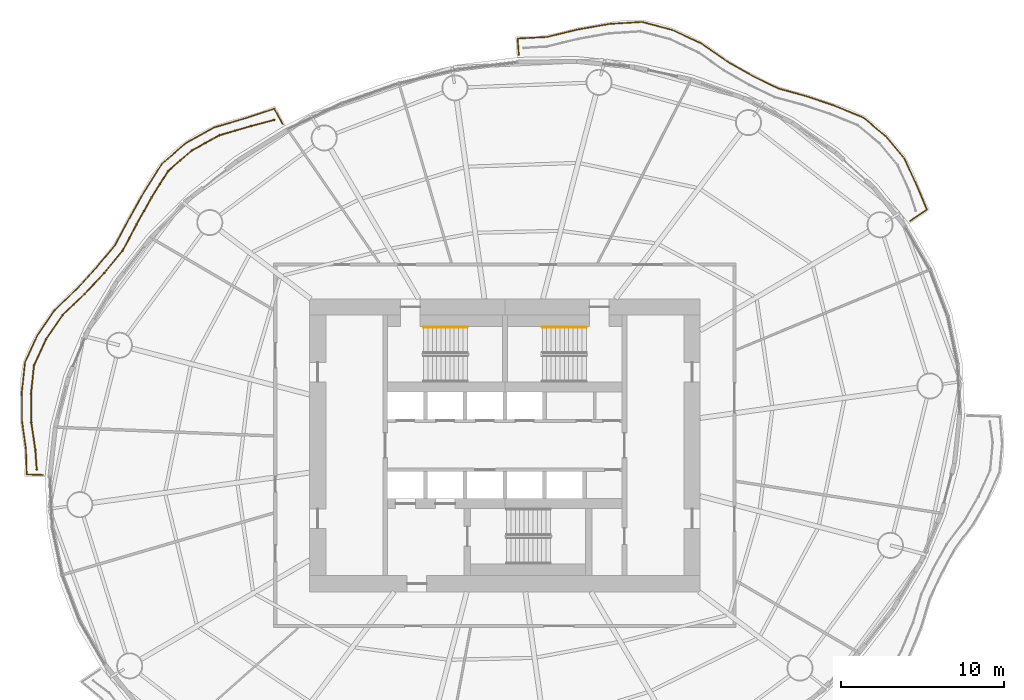
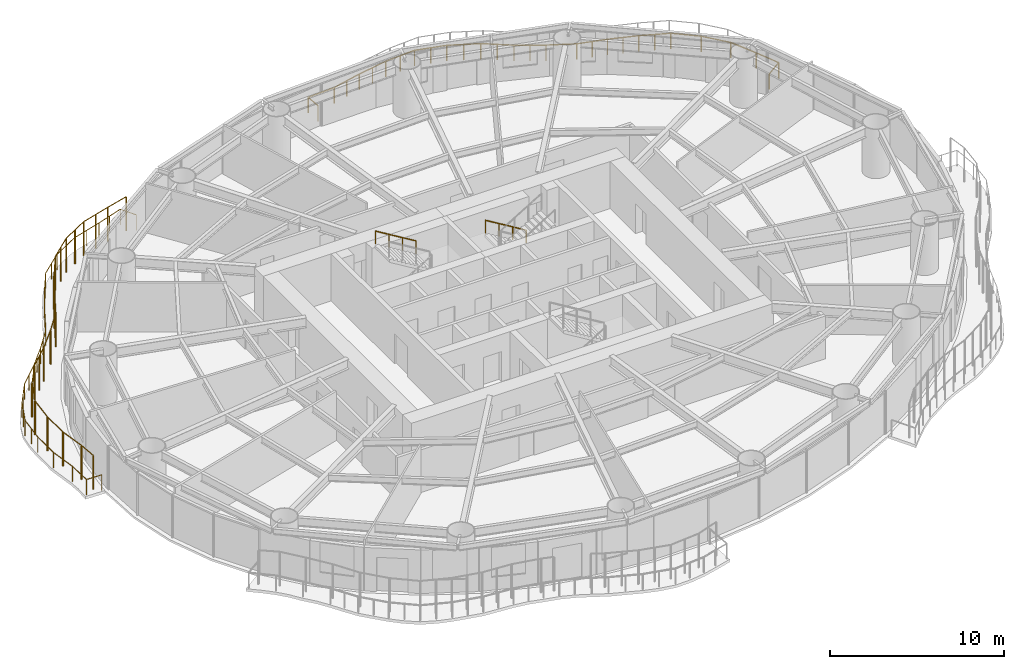
# One storey, part 15 of 16: 5 railings.
"""IFC4 building model written with IfcOpenShell, lengths in metres."""

from ifc_helpers import new_model, si_unit, direction, frame, origin, origin_2d, place, context, subcontext, project, spatial, circle, extrude, material, type_object, element, save


model = new_model("IFC4")

# Units and contexts
model_context = context("Model", 3, precision=1e-05, world=origin(), true_north=direction((0.0, 1.0)))
body_context = subcontext(model_context, "Body", "Model", "MODEL_VIEW")
ifc_project = project(units=[si_unit("LENGTHUNIT", "METRE"), si_unit("AREAUNIT", "SQUARE_METRE"), si_unit("VOLUMEUNIT", "CUBIC_METRE"), si_unit("PLANEANGLEUNIT", "RADIAN"), si_unit("MASSUNIT", "GRAM", prefix="KILO")], contexts=[model_context])

# Site, building, storey
site_placement = place(None, origin())
site = spatial("IfcSite", under=ifc_project, at=site_placement, CompositionType="ELEMENT")
building_placement = place(site_placement, origin())
building = spatial("IfcBuilding", under=site, at=building_placement, Name="Vermilion Reach Broadcast Tower", CompositionType="ELEMENT")
storey_placement = place(building_placement, frame((0.0, 0.0, 99.39990234375)))
storey = spatial("IfcBuildingStorey", under=building, at=storey_placement, Name="L22", CompositionType="ELEMENT", Elevation=99.39990234375)

# Railings
ifc_material_1 = material(Name="Terracotta baguette", Category="masonry")
railing_type_1 = type_object("IfcRailingType", Name="BAGUETTE SCREEN", PredefinedType="USERDEFINED", material=ifc_material_1)
railing_1_placement = place(storey_placement, frame((-20.168701171875, 19.9892578125, 0.0)))
element("IfcRailing", 1, at=railing_1_placement, inside=storey, type_object=railing_type_1, Name="Baguette screen L22 group 2", ObjectType="BAGUETTE SCREEN", PredefinedType="USERDEFINED", context=body_context, shape_type="SweptSolid", body=[
    extrude(circle(Radius=0.030029296875, at=origin_2d()), frame((0.0, 0.0, 2.369873046875), z_axis=(-0.965688538793, -0.259702995832, 0.0), x_axis=(0.259702995832, -0.965688538793, 0.0)), (0.0, 0.0, 1.0), 1.489013671875),
    extrude(circle(Radius=0.030029296875, at=origin_2d()), frame((-1.43798828125, -0.38671875, 2.369873046875), z_axis=(-0.960451273105, -0.278448113642, 0.0), x_axis=(0.278448113642, -0.960451273105, 0.0)), (0.0, 0.0, 1.0), 2.006103515625),
    extrude(circle(Radius=0.030029296875, at=origin_2d()), frame((-3.36474609375, -0.9453125, 2.369873046875), z_axis=(-0.875865554646, -0.482555209468, 0.0), x_axis=(0.482555209468, -0.875865554646, 0.0)), (0.0, 0.0, 1.0), 1.9287109375),
    extrude(circle(Radius=0.030029296875, at=origin_2d()), frame((-5.053955078125, -1.8759765625, 2.369873046875), z_axis=(-0.756757283638, -0.653695964238, 0.0), x_axis=(0.653695964238, -0.756757283638, 0.0)), (0.0, 0.0, 1.0), 1.921142578125),
    extrude(circle(Radius=0.030029296875, at=origin_2d()), frame((-6.5078125, -3.1318359375, 2.369873046875), z_axis=(-0.532360535287, -0.846517726022, 0.0), x_axis=(0.846517726022, -0.532360535287, 0.0)), (0.0, 0.0, 1.0), 1.93115234375),
    extrude(circle(Radius=0.030029296875, at=origin_2d()), frame((-7.535888671875, -4.7666015625, 2.369873046875), z_axis=(-0.485642931179, -0.874157276122, 0.0), x_axis=(0.874157276122, -0.485642931179, 0.0)), (0.0, 0.0, 1.0), 1.90283203125),
    extrude(circle(Radius=0.030029296875, at=origin_2d()), frame((-8.4599609375, -6.429931640625, 2.369873046875), z_axis=(-0.467578934228, -0.88395132234, 0.0), x_axis=(0.88395132234, -0.467578934228, 0.0)), (0.0, 0.0, 1.0), 1.81640625),
    extrude(circle(Radius=0.030029296875, at=origin_2d()), frame((-9.309326171875, -8.03564453125, 2.369873046875), z_axis=(-0.637528294743, -0.770426942287, 0.0), x_axis=(0.770426942287, -0.637528294743, 0.0)), (0.0, 0.0, 1.0), 1.774658203125),
    extrude(circle(Radius=0.030029296875, at=origin_2d()), frame((-10.440673828125, -9.40283203125, 2.369873046875), z_axis=(-0.680059549995, -0.733156878478, 0.0), x_axis=(0.733156878478, -0.680059549995, 0.0)), (0.0, 0.0, 1.0), 1.770263671875),
    extrude(circle(Radius=0.030029296875, at=origin_2d()), frame((-11.64453125, -10.70068359375, 2.369873046875), z_axis=(-0.724137931034, -0.689655172414, 0.0), x_axis=(0.689655172414, -0.724137931034, 0.0)), (0.0, 0.0, 1.0), 1.862060546875),
    extrude(circle(Radius=0.030029296875, at=origin_2d()), frame((-12.992919921875, -11.98486328125, 2.369873046875), z_axis=(-0.567851172557, -0.823131244593, 0.0), x_axis=(0.823131244593, -0.567851172557, 0.0)), (0.0, 0.0, 1.0), 1.78564453125),
    extrude(circle(Radius=0.030029296875, at=origin_2d()), frame((-14.0068359375, -13.45458984375, 2.369873046875), z_axis=(-0.418867322027, -0.908047447294, 0.0), x_axis=(0.908047447294, -0.418867322027, 0.0)), (0.0, 0.0, 1.0), 1.78466796875),
    extrude(circle(Radius=0.030029296875, at=origin_2d()), frame((-14.75439453125, -15.0751953125, 2.369873046875), z_axis=(-0.102804737278, -0.994701556244, 0.0), x_axis=(0.994701556244, -0.102804737278, 0.0)), (0.0, 0.0, 1.0), 1.764404296875),
    extrude(circle(Radius=0.030029296875, at=origin_2d()), frame((-14.935791015625, -16.830322265625, 2.369873046875), z_axis=(0.008058651751, -0.999967528539, 0.0), x_axis=(0.999967528539, 0.008058651751, 0.0)), (0.0, 0.0, 1.0), 1.757080078125),
    extrude(circle(Radius=0.030029296875, at=origin_2d()), frame((-14.921630859375, -18.58740234375, 2.369873046875), z_axis=(0.146255039922, -0.989246917254, 0.0), x_axis=(0.989246917254, 0.146255039922, 0.0)), (0.0, 0.0, 1.0), 1.7177734375),
    extrude(circle(Radius=0.030029296875, at=origin_2d()), frame((-14.67041015625, -20.28662109375, 2.369873046875), z_axis=(0.070485409336, -0.99751281048, 0.0), x_axis=(0.99751281048, 0.070485409336, 0.0)), (0.0, 0.0, 1.0), 1.1845703125),
    extrude(circle(Radius=0.050048828125, at=origin_2d()), origin(), (0.0, 0.0, 1.0), 2.33984375),
    extrude(circle(Radius=0.050048828125, at=origin_2d()), frame((-1.43798828125, -0.38671875, 0.0)), (0.0, 0.0, 1.0), 2.33984375),
    extrude(circle(Radius=0.050048828125, at=origin_2d()), frame((-2.4013671875, -0.666015625, 0.0)), (0.0, 0.0, 1.0), 2.33984375),
    extrude(circle(Radius=0.050048828125, at=origin_2d()), frame((-3.36474609375, -0.9453125, 0.0)), (0.0, 0.0, 1.0), 2.33984375),
    extrude(circle(Radius=0.050048828125, at=origin_2d()), frame((-4.20947265625, -1.41064453125, 0.0)), (0.0, 0.0, 1.0), 2.33984375),
    extrude(circle(Radius=0.050048828125, at=origin_2d()), frame((-5.053955078125, -1.8759765625, 0.0)), (0.0, 0.0, 1.0), 2.33984375),
    extrude(circle(Radius=0.050048828125, at=origin_2d()), frame((-5.78076171875, -2.50390625, 0.0)), (0.0, 0.0, 1.0), 2.33984375),
    extrude(circle(Radius=0.050048828125, at=origin_2d()), frame((-6.5078125, -3.1318359375, 0.0)), (0.0, 0.0, 1.0), 2.33984375),
    extrude(circle(Radius=0.050048828125, at=origin_2d()), frame((-7.02197265625, -3.94921875, 0.0)), (0.0, 0.0, 1.0), 2.33984375),
    extrude(circle(Radius=0.050048828125, at=origin_2d()), frame((-7.535888671875, -4.7666015625, 0.0)), (0.0, 0.0, 1.0), 2.33984375),
    extrude(circle(Radius=0.050048828125, at=origin_2d()), frame((-7.998046875, -5.59814453125, 0.0)), (0.0, 0.0, 1.0), 2.33984375),
    extrude(circle(Radius=0.050048828125, at=origin_2d()), frame((-8.4599609375, -6.429931640625, 0.0)), (0.0, 0.0, 1.0), 2.33984375),
    extrude(circle(Radius=0.050048828125, at=origin_2d()), frame((-8.884765625, -7.23291015625, 0.0)), (0.0, 0.0, 1.0), 2.33984375),
    extrude(circle(Radius=0.050048828125, at=origin_2d()), frame((-9.309326171875, -8.03564453125, 0.0)), (0.0, 0.0, 1.0), 2.33984375),
    extrude(circle(Radius=0.050048828125, at=origin_2d()), frame((-10.440673828125, -9.40283203125, 0.0)), (0.0, 0.0, 1.0), 2.33984375),
    extrude(circle(Radius=0.050048828125, at=origin_2d()), frame((-11.64453125, -10.70068359375, 0.0)), (0.0, 0.0, 1.0), 2.33984375),
    extrude(circle(Radius=0.050048828125, at=origin_2d()), frame((-12.31884765625, -11.3427734375, 0.0)), (0.0, 0.0, 1.0), 2.33984375),
    extrude(circle(Radius=0.050048828125, at=origin_2d()), frame((-12.992919921875, -11.98486328125, 0.0)), (0.0, 0.0, 1.0), 2.33984375),
    extrude(circle(Radius=0.050048828125, at=origin_2d()), frame((-14.0068359375, -13.45458984375, 0.0)), (0.0, 0.0, 1.0), 2.33984375),
    extrude(circle(Radius=0.050048828125, at=origin_2d()), frame((-14.75439453125, -15.0751953125, 0.0)), (0.0, 0.0, 1.0), 2.33984375),
    extrude(circle(Radius=0.050048828125, at=origin_2d()), frame((-14.935791015625, -16.830322265625, 0.0)), (0.0, 0.0, 1.0), 2.33984375),
    extrude(circle(Radius=0.050048828125, at=origin_2d()), frame((-14.921630859375, -18.58740234375, 0.0)), (0.0, 0.0, 1.0), 2.33984375),
    extrude(circle(Radius=0.050048828125, at=origin_2d()), frame((-14.67041015625, -20.28662109375, 0.0)), (0.0, 0.0, 1.0), 2.33984375),
    extrude(circle(Radius=0.050048828125, at=origin_2d()), frame((-14.5869140625, -21.46826171875, 0.0)), (0.0, 0.0, 1.0), 2.33984375),
])
ifc_material_2 = material(Name="Stainless steel 316 balustrade", Category="steel")
railing_type_2 = type_object("IfcRailingType", Name="Balcony guard 1100", PredefinedType="BALUSTRADE", material=ifc_material_2)
railing_2_placement = place(storey_placement, frame((18.88134765625, 13.77587890625, 0.0)))
element("IfcRailing", 2, at=railing_2_placement, inside=storey, type_object=railing_type_2, Name="Balcony guard L22 group 1", PredefinedType="BALUSTRADE", context=body_context, shape_type="SweptSolid", body=[
    extrude(circle(Radius=0.02490234375, at=origin_2d()), frame((0.0, 0.0, 1.0751953125), z_axis=(0.825106922859, 0.564976606463, 0.0), x_axis=(-0.564976606463, 0.825106922859, 0.0)), (0.0, 0.0, 1.0), 1.255859375),
    extrude(circle(Radius=0.02490234375, at=origin_2d()), frame((1.0361328125, 0.70947265625, 1.0751953125), z_axis=(-0.388050278572, 0.921638205209, 0.0), x_axis=(-0.921638205209, -0.388050278572, 0.0)), (0.0, 0.0, 1.0), 1.623779296875),
    extrude(circle(Radius=0.02490234375, at=origin_2d()), frame((0.406005859375, 2.2060546875, 1.0751953125), z_axis=(-0.417533502864, 0.908661528836, 0.0), x_axis=(-0.908661528836, -0.417533502864, 0.0)), (0.0, 0.0, 1.0), 1.798095703125),
    extrude(circle(Radius=0.02490234375, at=origin_2d()), frame((-0.3447265625, 3.83984375, 1.0751953125), z_axis=(-0.641215566417, 0.767360800005, 0.0), x_axis=(-0.767360800005, -0.641215566417, 0.0)), (0.0, 0.0, 1.0), 1.792236328125),
    extrude(circle(Radius=0.02490234375, at=origin_2d()), frame((-1.493896484375, 5.215087890625, 1.0751953125), z_axis=(-0.769634766565, 0.63848439769, 0.0), x_axis=(-0.63848439769, -0.769634766565, 0.0)), (0.0, 0.0, 1.0), 1.781494140625),
    extrude(circle(Radius=0.02490234375, at=origin_2d()), frame((-2.864990234375, 6.3525390625, 1.0751953125), z_axis=(-0.923956053589, 0.382498641875, 0.0), x_axis=(-0.382498641875, -0.923956053589, 0.0)), (0.0, 0.0, 1.0), 1.85986328125),
    extrude(circle(Radius=0.02490234375, at=origin_2d()), frame((-4.58349609375, 7.06396484375, 1.0751953125), z_axis=(-0.946540933456, 0.32258372757, 0.0), x_axis=(-0.32258372757, -0.946540933456, 0.0)), (0.0, 0.0, 1.0), 1.818603515625),
    extrude(circle(Radius=0.02490234375, at=origin_2d()), frame((-6.304931640625, 7.650634765625, 1.0751953125), z_axis=(-0.964058614454, 0.265689645821, 0.0), x_axis=(-0.265689645821, -0.964058614454, 0.0)), (0.0, 0.0, 1.0), 1.830322265625),
    extrude(circle(Radius=0.02490234375, at=origin_2d()), frame((-8.069580078125, 8.136962890625, 1.0751953125), z_axis=(-0.900054243848, 0.435777877055, 0.0), x_axis=(-0.435777877055, -0.900054243848, 0.0)), (0.0, 0.0, 1.0), 1.7646484375),
    extrude(circle(Radius=0.02490234375, at=origin_2d()), frame((-9.657958984375, 8.906005859375, 1.0751953125), z_axis=(-0.868561749897, 0.495580958689, 0.0), x_axis=(-0.495580958689, -0.868561749897, 0.0)), (0.0, 0.0, 1.0), 1.838134765625),
    extrude(circle(Radius=0.02490234375, at=origin_2d()), frame((-11.25439453125, 9.81689453125, 1.0751953125), z_axis=(-0.820747572782, 0.571291013209, 0.0), x_axis=(-0.571291013209, -0.820747572782, 0.0)), (0.0, 0.0, 1.0), 1.926025390625),
    extrude(circle(Radius=0.02490234375, at=origin_2d()), frame((-12.835205078125, 10.917236328125, 1.0751953125), z_axis=(-0.906702128324, 0.421771561978, 0.0), x_axis=(-0.421771561978, -0.906702128324, 0.0)), (0.0, 0.0, 1.0), 1.9443359375),
    extrude(circle(Radius=0.02490234375, at=origin_2d()), frame((-14.59814453125, 11.7373046875, 1.0751953125), z_axis=(-0.966807656919, 0.255505292553, 0.0), x_axis=(-0.255505292553, -0.966807656919, 0.0)), (0.0, 0.0, 1.0), 1.923583984375),
    extrude(circle(Radius=0.02490234375, at=origin_2d()), frame((-16.457763671875, 12.228759765625, 1.0751953125), z_axis=(-0.998119986718, -0.061290228531, 0.0), x_axis=(0.061290228531, -0.998119986718, 0.0)), (0.0, 0.0, 1.0), 1.983642578125),
    extrude(circle(Radius=0.02490234375, at=origin_2d()), frame((-18.437744140625, 12.107177734375, 1.0751953125), z_axis=(-0.985002687095, -0.172538999694, 0.0), x_axis=(0.172538999694, -0.985002687095, 0.0)), (0.0, 0.0, 1.0), 1.978271484375),
    extrude(circle(Radius=0.02490234375, at=origin_2d()), frame((-20.38623046875, 11.765869140625, 1.0751953125), z_axis=(-0.972283270164, -0.23380599342, 0.0), x_axis=(0.23380599342, -0.972283270164, 0.0)), (0.0, 0.0, 1.0), 1.98291015625),
    extrude(circle(Radius=0.02490234375, at=origin_2d()), frame((-22.314208984375, 11.30224609375, 1.0751953125), z_axis=(-0.998697867728, -0.051015379987, 0.0), x_axis=(0.051015379987, -0.998697867728, 0.0)), (0.0, 0.0, 1.0), 1.78515625),
    extrude(circle(Radius=0.02490234375, at=origin_2d()), frame((-24.096923828125, 11.211181640625, 1.0751953125), z_axis=(0.068237373303, -0.997669113927, 0.0), x_axis=(0.997669113927, 0.068237373303, 0.0)), (0.0, 0.0, 1.0), 1.009033203125),
    extrude(circle(Radius=0.02490234375, at=origin_2d()), origin(), (0.0, 0.0, 1.0), 1.050048828125),
    extrude(circle(Radius=0.02490234375, at=origin_2d()), frame((1.0361328125, 0.70947265625, 0.0)), (0.0, 0.0, 1.0), 1.050048828125),
    extrude(circle(Radius=0.02490234375, at=origin_2d()), frame((0.406005859375, 2.2060546875, 0.0)), (0.0, 0.0, 1.0), 1.050048828125),
    extrude(circle(Radius=0.02490234375, at=origin_2d()), frame((-0.3447265625, 3.83984375, 0.0)), (0.0, 0.0, 1.0), 1.050048828125),
    extrude(circle(Radius=0.02490234375, at=origin_2d()), frame((-1.493896484375, 5.215087890625, 0.0)), (0.0, 0.0, 1.0), 1.050048828125),
    extrude(circle(Radius=0.02490234375, at=origin_2d()), frame((-2.864990234375, 6.3525390625, 0.0)), (0.0, 0.0, 1.0), 1.050048828125),
    extrude(circle(Radius=0.02490234375, at=origin_2d()), frame((-3.72412109375, 6.708251953125, 0.0)), (0.0, 0.0, 1.0), 1.050048828125),
    extrude(circle(Radius=0.02490234375, at=origin_2d()), frame((-4.58349609375, 7.06396484375, 0.0)), (0.0, 0.0, 1.0), 1.050048828125),
    extrude(circle(Radius=0.02490234375, at=origin_2d()), frame((-5.4443359375, 7.357421875, 0.0)), (0.0, 0.0, 1.0), 1.050048828125),
    extrude(circle(Radius=0.02490234375, at=origin_2d()), frame((-6.304931640625, 7.650634765625, 0.0)), (0.0, 0.0, 1.0), 1.050048828125),
    extrude(circle(Radius=0.02490234375, at=origin_2d()), frame((-7.187255859375, 7.893798828125, 0.0)), (0.0, 0.0, 1.0), 1.050048828125),
    extrude(circle(Radius=0.02490234375, at=origin_2d()), frame((-8.069580078125, 8.136962890625, 0.0)), (0.0, 0.0, 1.0), 1.050048828125),
    extrude(circle(Radius=0.02490234375, at=origin_2d()), frame((-9.657958984375, 8.906005859375, 0.0)), (0.0, 0.0, 1.0), 1.050048828125),
    extrude(circle(Radius=0.02490234375, at=origin_2d()), frame((-10.4560546875, 9.361328125, 0.0)), (0.0, 0.0, 1.0), 1.050048828125),
    extrude(circle(Radius=0.02490234375, at=origin_2d()), frame((-11.25439453125, 9.81689453125, 0.0)), (0.0, 0.0, 1.0), 1.050048828125),
    extrude(circle(Radius=0.02490234375, at=origin_2d()), frame((-12.044921875, 10.3671875, 0.0)), (0.0, 0.0, 1.0), 1.050048828125),
    extrude(circle(Radius=0.02490234375, at=origin_2d()), frame((-12.835205078125, 10.917236328125, 0.0)), (0.0, 0.0, 1.0), 1.050048828125),
    extrude(circle(Radius=0.02490234375, at=origin_2d()), frame((-13.716796875, 11.3271484375, 0.0)), (0.0, 0.0, 1.0), 1.050048828125),
    extrude(circle(Radius=0.02490234375, at=origin_2d()), frame((-14.59814453125, 11.7373046875, 0.0)), (0.0, 0.0, 1.0), 1.050048828125),
    extrude(circle(Radius=0.02490234375, at=origin_2d()), frame((-15.52783203125, 11.98291015625, 0.0)), (0.0, 0.0, 1.0), 1.050048828125),
    extrude(circle(Radius=0.02490234375, at=origin_2d()), frame((-16.457763671875, 12.228759765625, 0.0)), (0.0, 0.0, 1.0), 1.050048828125),
    extrude(circle(Radius=0.02490234375, at=origin_2d()), frame((-17.44775390625, 12.16796875, 0.0)), (0.0, 0.0, 1.0), 1.050048828125),
    extrude(circle(Radius=0.02490234375, at=origin_2d()), frame((-18.437744140625, 12.107177734375, 0.0)), (0.0, 0.0, 1.0), 1.050048828125),
    extrude(circle(Radius=0.02490234375, at=origin_2d()), frame((-19.412109375, 11.9365234375, 0.0)), (0.0, 0.0, 1.0), 1.050048828125),
    extrude(circle(Radius=0.02490234375, at=origin_2d()), frame((-20.38623046875, 11.765869140625, 0.0)), (0.0, 0.0, 1.0), 1.050048828125),
    extrude(circle(Radius=0.02490234375, at=origin_2d()), frame((-21.35009765625, 11.5341796875, 0.0)), (0.0, 0.0, 1.0), 1.050048828125),
    extrude(circle(Radius=0.02490234375, at=origin_2d()), frame((-22.314208984375, 11.30224609375, 0.0)), (0.0, 0.0, 1.0), 1.050048828125),
    extrude(circle(Radius=0.02490234375, at=origin_2d()), frame((-24.096923828125, 11.211181640625, 0.0)), (0.0, 0.0, 1.0), 1.050048828125),
    extrude(circle(Radius=0.02490234375, at=origin_2d()), frame((-24.028076171875, 10.20458984375, 0.0)), (0.0, 0.0, 1.0), 1.050048828125),
])
railing_3_placement = place(storey_placement, frame((-19.652587890625, 19.733154296875, 0.0)))
element("IfcRailing", 3, at=railing_3_placement, inside=storey, type_object=railing_type_2, Name="Balcony guard L22 group 2", PredefinedType="BALUSTRADE", context=body_context, shape_type="SweptSolid", body=[
    extrude(circle(Radius=0.02490234375, at=origin_2d()), frame((0.0, 0.0, 1.0751953125), z_axis=(-0.480464980178, 0.87701391256, 0.0), x_axis=(-0.87701391256, -0.480464980178, 0.0)), (0.0, 0.0, 1.0), 1.070556640625),
    extrude(circle(Radius=0.02490234375, at=origin_2d()), frame((-0.514404296875, 0.93896484375, 1.0751953125), z_axis=(-0.949503313786, -0.313757003283, 0.0), x_axis=(0.313757003283, -0.949503313786, 0.0)), (0.0, 0.0, 1.0), 1.838623046875),
    extrude(circle(Radius=0.02490234375, at=origin_2d()), frame((-2.26025390625, 0.362060546875, 1.0751953125), z_axis=(-0.95910942212, -0.283035539111, 0.0), x_axis=(0.283035539111, -0.95910942212, 0.0)), (0.0, 0.0, 1.0), 2.037353515625),
    extrude(circle(Radius=0.02490234375, at=origin_2d()), frame((-4.21435546875, -0.214599609375, 1.0751953125), z_axis=(-0.874755633331, -0.484564321794, 0.0), x_axis=(0.484564321794, -0.874755633331, 0.0)), (0.0, 0.0, 1.0), 1.9609375),
    extrude(circle(Radius=0.02490234375, at=origin_2d()), frame((-5.9296875, -1.164794921875, 1.0751953125), z_axis=(-0.756907227232, -0.653522340371, 0.0), x_axis=(0.653522340371, -0.756907227232, 0.0)), (0.0, 0.0, 1.0), 1.955322265625),
    extrude(circle(Radius=0.02490234375, at=origin_2d()), frame((-7.40966796875, -2.442626953125, 1.0751953125), z_axis=(-0.535942035094, -0.844254780868, 0.0), x_axis=(0.844254780868, -0.535942035094, 0.0)), (0.0, 0.0, 1.0), 1.9638671875),
    extrude(circle(Radius=0.02490234375, at=origin_2d()), frame((-8.462158203125, -4.1005859375, 1.0751953125), z_axis=(-0.489650759981, -0.871918650592, 0.0), x_axis=(0.871918650592, -0.489650759981, 0.0)), (0.0, 0.0, 1.0), 1.93701171875),
    extrude(circle(Radius=0.02490234375, at=origin_2d()), frame((-9.41064453125, -5.78955078125, 1.0751953125), z_axis=(-0.470950985381, -0.882159378666, 0.0), x_axis=(0.882159378666, -0.470950985381, 0.0)), (0.0, 0.0, 1.0), 1.851318359375),
    extrude(circle(Radius=0.02490234375, at=origin_2d()), frame((-10.282470703125, -7.422607421875, 1.0751953125), z_axis=(-0.636665528786, -0.771140067988, 0.0), x_axis=(0.771140067988, -0.636665528786, 0.0)), (0.0, 0.0, 1.0), 1.811767578125),
    extrude(circle(Radius=0.02490234375, at=origin_2d()), frame((-11.43603515625, -8.81982421875, 1.0751953125), z_axis=(-0.677319922067, -0.735688604758, 0.0), x_axis=(0.735688604758, -0.677319922067, 0.0)), (0.0, 0.0, 1.0), 1.806884765625),
    extrude(circle(Radius=0.02490234375, at=origin_2d()), frame((-12.659912109375, -10.149169921875, 1.0751953125), z_axis=(-0.719782351396, -0.694199803096, 0.0), x_axis=(0.694199803096, -0.719782351396, 0.0)), (0.0, 0.0, 1.0), 1.899169921875),
    extrude(circle(Radius=0.02490234375, at=origin_2d()), frame((-14.02685546875, -11.467529296875, 1.0751953125), z_axis=(-0.56488059889, -0.825172654053, 0.0), x_axis=(0.825172654053, -0.56488059889, 0.0)), (0.0, 0.0, 1.0), 1.82421875),
    extrude(circle(Radius=0.02490234375, at=origin_2d()), frame((-15.057373046875, -12.972900390625, 1.0751953125), z_axis=(-0.41744646052, -0.908701520082, 0.0), x_axis=(0.908701520082, -0.41744646052, 0.0)), (0.0, 0.0, 1.0), 1.825927734375),
    extrude(circle(Radius=0.02490234375, at=origin_2d()), frame((-15.819580078125, -14.632080078125, 1.0751953125), z_axis=(-0.10710610663, -0.994247595885, 0.0), x_axis=(0.994247595885, -0.10710610663, 0.0)), (0.0, 0.0, 1.0), 1.805419921875),
    extrude(circle(Radius=0.02490234375, at=origin_2d()), frame((-16.012939453125, -16.427001953125, 1.0751953125), z_axis=(0.00271406247, -0.999996316926, 0.0), x_axis=(0.999996316926, 0.00271406247, 0.0)), (0.0, 0.0, 1.0), 1.799072265625),
    extrude(circle(Radius=0.02490234375, at=origin_2d()), frame((-16.008056640625, -18.22607421875, 1.0751953125), z_axis=(0.139205920954, -0.990263455638, 0.0), x_axis=(0.990263455638, 0.139205920954, 0.0)), (0.0, 0.0, 1.0), 1.759033203125),
    extrude(circle(Radius=0.02490234375, at=origin_2d()), frame((-15.76318359375, -19.968017578125, 1.0751953125), z_axis=(0.028886950532, -0.999582684969, 0.0), x_axis=(0.999582684969, 0.028886950532, 0.0)), (0.0, 0.0, 1.0), 1.55517578125),
    extrude(circle(Radius=0.02490234375, at=origin_2d()), frame((-15.71826171875, -21.5224609375, 1.0751953125), z_axis=(0.999531620237, -0.030602943434, 0.0), x_axis=(0.030602943434, 0.999531620237, 0.0)), (0.0, 0.0, 1.0), 0.9892578125),
    extrude(circle(Radius=0.02490234375, at=origin_2d()), origin(), (0.0, 0.0, 1.0), 1.050048828125),
    extrude(circle(Radius=0.02490234375, at=origin_2d()), frame((-0.514404296875, 0.93896484375, 0.0)), (0.0, 0.0, 1.0), 1.050048828125),
    extrude(circle(Radius=0.02490234375, at=origin_2d()), frame((-1.38720703125, 0.650390625, 0.0)), (0.0, 0.0, 1.0), 1.050048828125),
    extrude(circle(Radius=0.02490234375, at=origin_2d()), frame((-2.26025390625, 0.362060546875, 0.0)), (0.0, 0.0, 1.0), 1.050048828125),
    extrude(circle(Radius=0.02490234375, at=origin_2d()), frame((-3.2373046875, 0.07373046875, 0.0)), (0.0, 0.0, 1.0), 1.050048828125),
    extrude(circle(Radius=0.02490234375, at=origin_2d()), frame((-4.21435546875, -0.214599609375, 0.0)), (0.0, 0.0, 1.0), 1.050048828125),
    extrude(circle(Radius=0.02490234375, at=origin_2d()), frame((-5.072021484375, -0.689697265625, 0.0)), (0.0, 0.0, 1.0), 1.050048828125),
    extrude(circle(Radius=0.02490234375, at=origin_2d()), frame((-5.9296875, -1.164794921875, 0.0)), (0.0, 0.0, 1.0), 1.050048828125),
    extrude(circle(Radius=0.02490234375, at=origin_2d()), frame((-6.669677734375, -1.8037109375, 0.0)), (0.0, 0.0, 1.0), 1.050048828125),
    extrude(circle(Radius=0.02490234375, at=origin_2d()), frame((-7.40966796875, -2.442626953125, 0.0)), (0.0, 0.0, 1.0), 1.050048828125),
    extrude(circle(Radius=0.02490234375, at=origin_2d()), frame((-7.93603515625, -3.271484375, 0.0)), (0.0, 0.0, 1.0), 1.050048828125),
    extrude(circle(Radius=0.02490234375, at=origin_2d()), frame((-8.462158203125, -4.1005859375, 0.0)), (0.0, 0.0, 1.0), 1.050048828125),
    extrude(circle(Radius=0.02490234375, at=origin_2d()), frame((-8.9365234375, -4.945068359375, 0.0)), (0.0, 0.0, 1.0), 1.050048828125),
    extrude(circle(Radius=0.02490234375, at=origin_2d()), frame((-9.41064453125, -5.78955078125, 0.0)), (0.0, 0.0, 1.0), 1.050048828125),
    extrude(circle(Radius=0.02490234375, at=origin_2d()), frame((-9.8466796875, -6.60595703125, 0.0)), (0.0, 0.0, 1.0), 1.050048828125),
    extrude(circle(Radius=0.02490234375, at=origin_2d()), frame((-10.282470703125, -7.422607421875, 0.0)), (0.0, 0.0, 1.0), 1.050048828125),
    extrude(circle(Radius=0.02490234375, at=origin_2d()), frame((-10.859375, -8.12109375, 0.0)), (0.0, 0.0, 1.0), 1.050048828125),
    extrude(circle(Radius=0.02490234375, at=origin_2d()), frame((-11.43603515625, -8.81982421875, 0.0)), (0.0, 0.0, 1.0), 1.050048828125),
    extrude(circle(Radius=0.02490234375, at=origin_2d()), frame((-12.0478515625, -9.484375, 0.0)), (0.0, 0.0, 1.0), 1.050048828125),
    extrude(circle(Radius=0.02490234375, at=origin_2d()), frame((-12.659912109375, -10.149169921875, 0.0)), (0.0, 0.0, 1.0), 1.050048828125),
    extrude(circle(Radius=0.02490234375, at=origin_2d()), frame((-13.34326171875, -10.808349609375, 0.0)), (0.0, 0.0, 1.0), 1.050048828125),
    extrude(circle(Radius=0.02490234375, at=origin_2d()), frame((-14.02685546875, -11.467529296875, 0.0)), (0.0, 0.0, 1.0), 1.050048828125),
    extrude(circle(Radius=0.02490234375, at=origin_2d()), frame((-14.5419921875, -12.22021484375, 0.0)), (0.0, 0.0, 1.0), 1.050048828125),
    extrude(circle(Radius=0.02490234375, at=origin_2d()), frame((-15.057373046875, -12.972900390625, 0.0)), (0.0, 0.0, 1.0), 1.050048828125),
    extrude(circle(Radius=0.02490234375, at=origin_2d()), frame((-15.4384765625, -13.802490234375, 0.0)), (0.0, 0.0, 1.0), 1.050048828125),
    extrude(circle(Radius=0.02490234375, at=origin_2d()), frame((-15.819580078125, -14.632080078125, 0.0)), (0.0, 0.0, 1.0), 1.050048828125),
    extrude(circle(Radius=0.02490234375, at=origin_2d()), frame((-15.916259765625, -15.529541015625, 0.0)), (0.0, 0.0, 1.0), 1.050048828125),
    extrude(circle(Radius=0.02490234375, at=origin_2d()), frame((-16.012939453125, -16.427001953125, 0.0)), (0.0, 0.0, 1.0), 1.050048828125),
    extrude(circle(Radius=0.02490234375, at=origin_2d()), frame((-16.008056640625, -18.22607421875, 0.0)), (0.0, 0.0, 1.0), 1.050048828125),
    extrude(circle(Radius=0.02490234375, at=origin_2d()), frame((-15.76318359375, -19.968017578125, 0.0)), (0.0, 0.0, 1.0), 1.050048828125),
    extrude(circle(Radius=0.02490234375, at=origin_2d()), frame((-15.71826171875, -21.5224609375, 0.0)), (0.0, 0.0, 1.0), 1.050048828125),
    extrude(circle(Radius=0.02490234375, at=origin_2d()), frame((-14.7294921875, -21.552734375, 0.0)), (0.0, 0.0, 1.0), 1.050048828125),
])
ifc_material_3 = material(Name="Stainless steel", Category="steel")
railing_type_3 = type_object("IfcRailingType", Name="Stair handrail", PredefinedType="HANDRAIL", material=ifc_material_3)
railing_4_placement = place(storey_placement, frame((-8.300048828125, 7.25, 1.963623046875)))
element("IfcRailing", 4, at=railing_4_placement, inside=storey, type_object=railing_type_3, Name="L22 ST1 stair handrail 2", PredefinedType="HANDRAIL", context=body_context, shape_type="SweptSolid", body=[
    extrude(circle(Radius=0.02392578125, at=origin_2d()), frame((0.0, 0.0, 0.8759765625), z_axis=(-0.855178096276, 0.0, 0.518334277904), x_axis=(0.0, -1.0, 0.0)), (0.0, 0.0, 1.0), 3.1572265625),
    extrude(circle(Radius=0.02099609375, at=origin_2d()), origin(), (0.0, 0.0, 1.0), 0.851806640625),
    extrude(circle(Radius=0.02099609375, at=origin_2d()), frame((-0.89990234375, 0.0, 0.54541015625)), (0.0, 0.0, 1.0), 0.851806640625),
    extrude(circle(Radius=0.02099609375, at=origin_2d()), frame((-1.800048828125, 0.0, 1.091064453125)), (0.0, 0.0, 1.0), 0.851806640625),
    extrude(circle(Radius=0.02099609375, at=origin_2d()), frame((-2.699951171875, 0.0, 1.636474609375)), (0.0, 0.0, 1.0), 0.851806640625),
])
railing_5_placement = place(storey_placement, frame((-1.0, 7.25, 0.163818359375)))
element("IfcRailing", 5, at=railing_5_placement, inside=storey, type_object=railing_type_3, Name="L22 ST2 stair handrail 1", PredefinedType="HANDRAIL", context=body_context, shape_type="SweptSolid", body=[
    extrude(circle(Radius=0.02392578125, at=origin_2d()), frame((0.0, 0.0, 0.8759765625), z_axis=(-0.855212373127, 0.0, 0.518277721738), x_axis=(0.0, -1.0, 0.0)), (0.0, 0.0, 1.0), 3.156982421875),
    extrude(circle(Radius=0.02099609375, at=origin_2d()), origin(), (0.0, 0.0, 1.0), 0.851806640625),
    extrude(circle(Radius=0.02099609375, at=origin_2d()), frame((-0.89990234375, 0.0, 0.54541015625)), (0.0, 0.0, 1.0), 0.851806640625),
    extrude(circle(Radius=0.02099609375, at=origin_2d()), frame((-1.800048828125, 0.0, 1.0908203125)), (0.0, 0.0, 1.0), 0.851806640625),
    extrude(circle(Radius=0.02099609375, at=origin_2d()), frame((-2.699951171875, 0.0, 1.63623046875)), (0.0, 0.0, 1.0), 0.851806640625),
])

save(model, "model.ifc")
